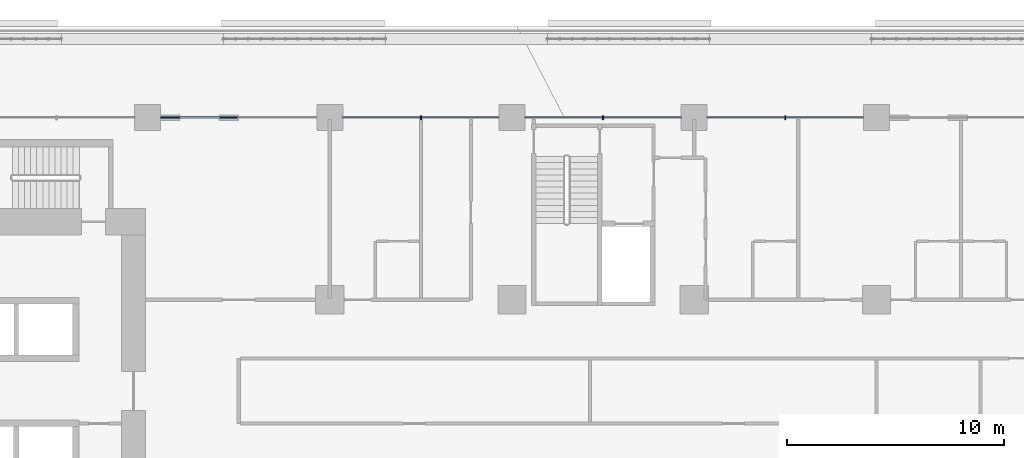
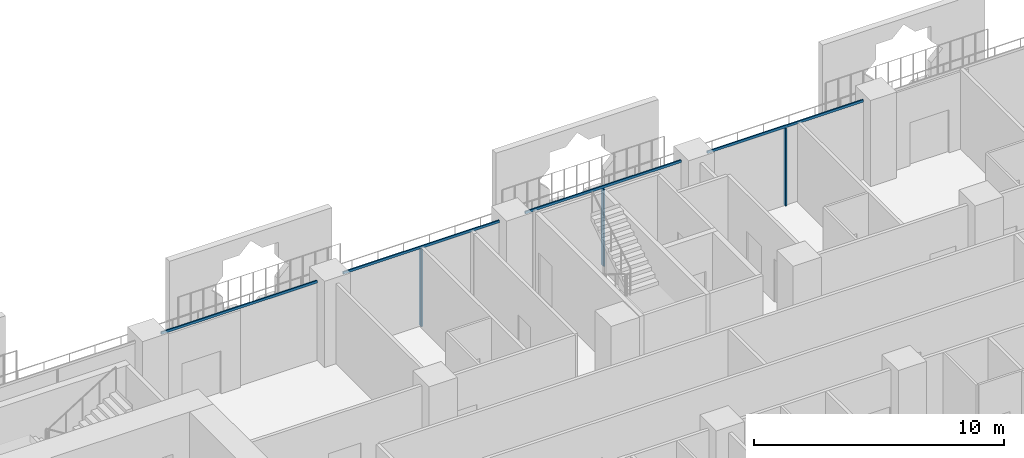
# One storey, part 9 of 28: 7 members, 1 element without a shape of its own.
"""IFC4 building model written with IfcOpenShell, lengths in metres."""

from ifc_helpers import new_model, si_unit, direction, frame, origin, origin_2d, place, context, subcontext, project, spatial, rectangle, extrude, material, layer, layer_set, material_profile, profile_set, type_object, element, aggregate, save


model = new_model("IFC4")

# Units and contexts
model_context = context("Model", 3, precision=1e-05, world=origin(), true_north=direction((0.0, 1.0)))
body_context = subcontext(model_context, "Body", "Model", "MODEL_VIEW")
ifc_project = project(units=[si_unit("LENGTHUNIT", "METRE"), si_unit("AREAUNIT", "SQUARE_METRE"), si_unit("VOLUMEUNIT", "CUBIC_METRE"), si_unit("PLANEANGLEUNIT", "RADIAN"), si_unit("MASSUNIT", "GRAM", prefix="KILO")], contexts=[model_context])

# Site, building, storey
site_placement = place(None, origin())
site = spatial("IfcSite", under=ifc_project, at=site_placement, CompositionType="ELEMENT")
building_placement = place(site_placement, origin())
building = spatial("IfcBuilding", under=site, at=building_placement, Name="Kawkab Arch Medical Tower", CompositionType="ELEMENT")
storey_placement = place(building_placement, frame((0.0, 0.0, 77.0)))
storey = spatial("IfcBuildingStorey", under=building, at=storey_placement, Name="L17", CompositionType="ELEMENT", Elevation=77.0)

# Curtain wall, members
ifc_material_1 = material(Name="Bronze anodised aluminium curtain wall frame", Category="aluminium")
ifc_layer = layer(ifc_material_1, 0.159912109375)
ifc_layer_set = layer_set([ifc_layer], Name="Bronze anodised aluminium curtain wall frame")
curtain_wall_type = type_object("IfcCurtainWallType", Name="CW1 ward curtain wall", PredefinedType="NOTDEFINED", material=ifc_layer_set)
curtain_wall_placement = place(storey_placement, origin())
curtain_wall = element("IfcCurtainWall", 1, at=curtain_wall_placement, inside=storey, type_object=curtain_wall_type, Name="CW1 Ward curtain wall R11", PredefinedType="NOTDEFINED")
ifc_material_2 = material(Name="Bronze anodised aluminium curtain wall frame", Category="aluminium")
ifc_material_profile_1 = material_profile(ifc_material_2, rectangle(XDim=0.179931640625, YDim=0.06005859375, at=origin_2d()), Name="AL 60x180")
ifc_profile_set_1 = profile_set([ifc_material_profile_1], Name="Bronze anodised aluminium curtain wall frame")
member_type_1 = type_object("IfcMemberType", Name="CW1 mullion 60 x 180", PredefinedType="MULLION", material=ifc_profile_set_1)
member_1_placement = place(storey_placement, frame((54.60009765625, 0.0, 0.0), z_axis=(0.0, 0.0, 1.0), x_axis=(0.0, -1.0, 0.0)))
member_1 = element("IfcMember", 2, at=member_1_placement, type_object=member_type_1, Name="CW1 mullion 3.1", PredefinedType="MULLION", context=body_context, shape_type="SweptSolid", body=[
    extrude(rectangle(XDim=0.179931640625, YDim=0.06005859375, at=origin_2d()), origin(), (0.0, 0.0, 1.0), 3.780029296875),
])
member_2_placement = place(storey_placement, frame((46.199951171875, 0.0, 0.0), z_axis=(0.0, 0.0, 1.0), x_axis=(0.0, -1.0, 0.0)))
member_2 = element("IfcMember", 3, at=member_2_placement, type_object=member_type_1, Name="CW1 mullion 4.1", PredefinedType="MULLION", context=body_context, shape_type="SweptSolid", body=[
    extrude(rectangle(XDim=0.179931640625, YDim=0.06005859375, at=origin_2d()), origin(), (0.0, 0.0, 1.0), 3.780029296875),
])
member_3_placement = place(storey_placement, frame((37.800048828125, 0.0, 0.0), z_axis=(0.0, 0.0, 1.0), x_axis=(0.0, -1.0, 0.0)))
member_3 = element("IfcMember", 4, at=member_3_placement, type_object=member_type_1, Name="CW1 mullion 5.1", PredefinedType="MULLION", context=body_context, shape_type="SweptSolid", body=[
    extrude(rectangle(XDim=0.179931640625, YDim=0.06005859375, at=origin_2d()), origin(), (0.0, 0.0, 1.0), 3.780029296875),
])
ifc_material_3 = material(Name="Bronze anodised aluminium curtain wall frame", Category="aluminium")
ifc_material_profile_2 = material_profile(ifc_material_3, rectangle(XDim=0.06005859375, YDim=0.1201171875, at=origin_2d()), Name="AL 60x120")
ifc_profile_set_2 = profile_set([ifc_material_profile_2], Name="Bronze anodised aluminium curtain wall frame")
member_type_2 = type_object("IfcMemberType", Name="CW1 transom 120 x 60", PredefinedType="USERDEFINED", material=ifc_profile_set_2)
member_4_placement = place(storey_placement, frame((58.199951171875, 0.0, 3.840087890625), z_axis=(-1.0, 0.0, 0.0), x_axis=(0.0, -1.0, 0.0)))
member_4 = element("IfcMember", 5, at=member_4_placement, type_object=member_type_2, Name="CW1 transom 3", ObjectType="TRANSOM", PredefinedType="USERDEFINED", context=body_context, shape_type="SweptSolid", body=[
    extrude(rectangle(XDim=0.06005859375, YDim=0.1201171875, at=origin_2d()), origin(), (0.0, 0.0, 1.0), 7.199951171875),
])
member_5_placement = place(storey_placement, frame((49.800048828125, 0.0, 3.840087890625), z_axis=(-1.0, 0.0, 0.0), x_axis=(0.0, -1.0, 0.0)))
member_5 = element("IfcMember", 6, at=member_5_placement, type_object=member_type_2, Name="CW1 transom 4", ObjectType="TRANSOM", PredefinedType="USERDEFINED", context=body_context, shape_type="SweptSolid", body=[
    extrude(rectangle(XDim=0.06005859375, YDim=0.1201171875, at=origin_2d()), origin(), (0.0, 0.0, 1.0), 7.199951171875),
])
member_6_placement = place(storey_placement, frame((41.39990234375, 0.0, 3.840087890625), z_axis=(-1.0, 0.0, 0.0), x_axis=(0.0, -1.0, 0.0)))
member_6 = element("IfcMember", 7, at=member_6_placement, type_object=member_type_2, Name="CW1 transom 5", ObjectType="TRANSOM", PredefinedType="USERDEFINED", context=body_context, shape_type="SweptSolid", body=[
    extrude(rectangle(XDim=0.06005859375, YDim=0.1201171875, at=origin_2d()), origin(), (0.0, 0.0, 1.0), 7.199951171875),
])
member_7_placement = place(storey_placement, frame((33.0, 0.0, 3.840087890625), z_axis=(-1.0, 0.0, 0.0), x_axis=(0.0, -1.0, 0.0)))
member_7 = element("IfcMember", 8, at=member_7_placement, type_object=member_type_2, Name="CW1 transom 6", ObjectType="TRANSOM", PredefinedType="USERDEFINED", context=body_context, shape_type="SweptSolid", body=[
    extrude(rectangle(XDim=0.06005859375, YDim=0.1201171875, at=origin_2d()), origin(), (0.0, 0.0, 1.0), 7.199951171875),
])
aggregate(curtain_wall, [member_4, member_1, member_5, member_2, member_6, member_3, member_7])

save(model, "model.ifc")
